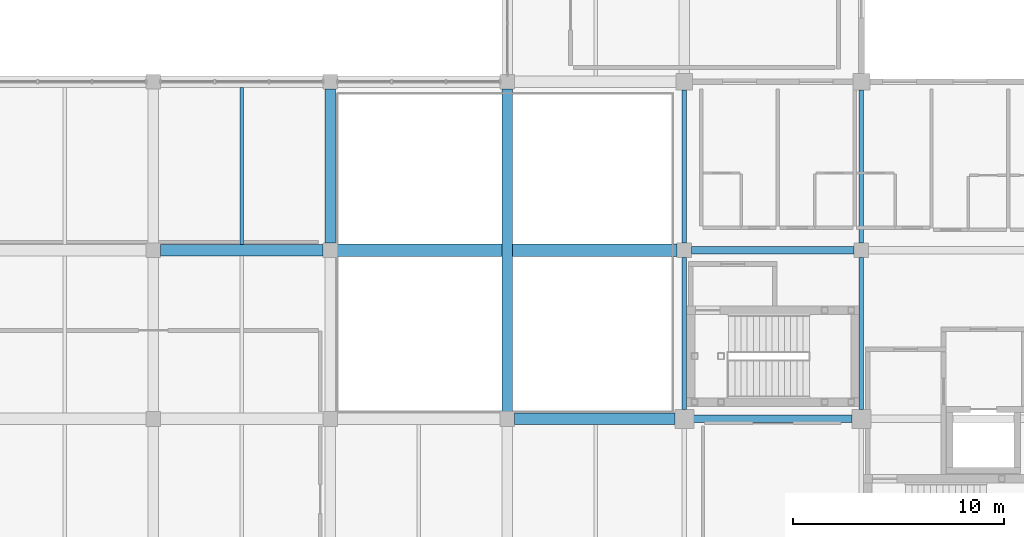
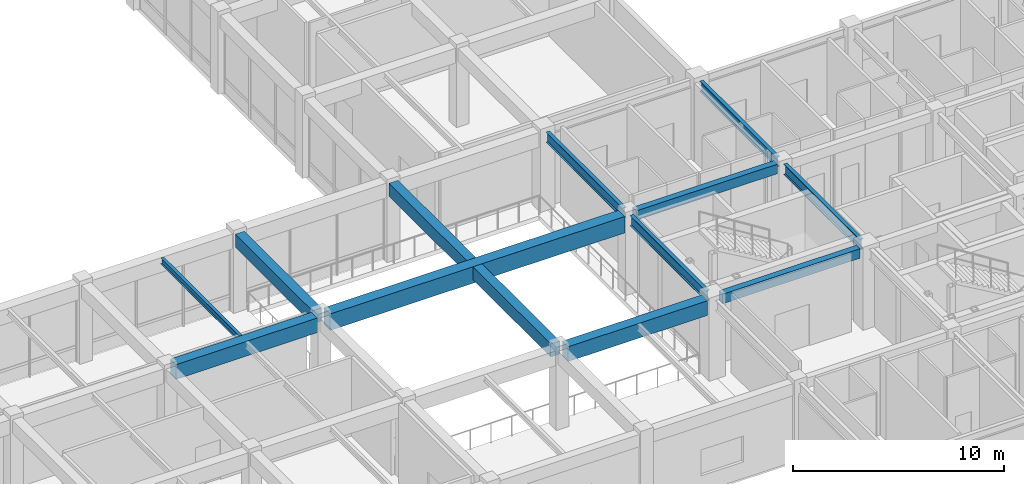
# One storey, part 19 of 76: 12 beams.
"""IFC4 building model written with IfcOpenShell, lengths in metres."""

from ifc_helpers import new_model, si_unit, direction, frame, origin, origin_2d, place, context, subcontext, project, spatial, rectangle, i_section, extrude, material, material_profile, profile_set, type_object, element, save


model = new_model("IFC4")

# Units and contexts
model_context = context("Model", 3, precision=1e-05, world=origin(), true_north=direction((0.0, 1.0)))
body_context = subcontext(model_context, "Body", "Model", "MODEL_VIEW")
ifc_project = project(units=[si_unit("LENGTHUNIT", "METRE"), si_unit("AREAUNIT", "SQUARE_METRE"), si_unit("VOLUMEUNIT", "CUBIC_METRE"), si_unit("PLANEANGLEUNIT", "RADIAN"), si_unit("MASSUNIT", "GRAM", prefix="KILO")], contexts=[model_context])

# Site, building, storey
site_placement = place(None, origin())
site = spatial("IfcSite", under=ifc_project, at=site_placement, CompositionType="ELEMENT")
building_placement = place(site_placement, origin())
building = spatial("IfcBuilding", under=site, at=building_placement, Name="Naruveol Harbour Congress Hotel", CompositionType="ELEMENT")
storey_placement = place(building_placement, frame((0.0, 0.0, 11.39990234375)))
storey = spatial("IfcBuildingStorey", under=building, at=storey_placement, Name="L02", CompositionType="ELEMENT", Elevation=11.39990234375)

# Beams
ifc_material_1 = material(Name="Concrete C40/50", Category="concrete")
ifc_material_profile_1 = material_profile(ifc_material_1, rectangle(XDim=0.5, YDim=0.75, at=origin_2d()), Name="RCB-500x750")
ifc_profile_set_1 = profile_set([ifc_material_profile_1], Name="Concrete C40/50")
beam_type_1 = type_object("IfcBeamType", Name="RC FLOOR GIRDER 500X750", PredefinedType="BEAM", material=ifc_profile_set_1)
beam_1_placement = place(storey_placement, frame((100.800048828125, 24.345947265625, 4.175048828125), z_axis=(0.0, 1.0, 0.0), x_axis=(-1.0, 0.0, 0.0)))
element("IfcBeam", 1, at=beam_1_placement, inside=storey, type_object=beam_type_1, Name="Transverse girder L03 CB3", PredefinedType="BEAM", context=body_context, shape_type="SweptSolid", body=[
    extrude(rectangle(XDim=0.5, YDim=0.75, at=origin_2d()), origin(), (0.0, 0.0, 1.0), 7.30810546875),
])
beam_2_placement = place(storey_placement, frame((109.199951171875, 16.345947265625, 4.175048828125), z_axis=(0.0, 1.0, 0.0), x_axis=(-1.0, 0.0, 0.0)))
element("IfcBeam", 2, at=beam_2_placement, inside=storey, type_object=beam_type_1, Name="Transverse girder L03 CB3", PredefinedType="BEAM", context=body_context, shape_type="SweptSolid", body=[
    extrude(rectangle(XDim=0.5, YDim=0.75, at=origin_2d()), origin(), (0.0, 0.0, 1.0), 15.30810546875),
])
ifc_material_2 = material(Name="Concrete C40/50", Category="concrete")
ifc_material_profile_2 = material_profile(ifc_material_2, rectangle(XDim=0.60009765625, YDim=0.949951171875, at=origin_2d()), Name="RCB-600x950")
ifc_profile_set_2 = profile_set([ifc_material_profile_2], Name="Concrete C40/50")
beam_type_2 = type_object("IfcBeamType", Name="RC LONG SPAN GIRDER 600X950", PredefinedType="BEAM", material=ifc_profile_set_2)
beam_3_placement = place(storey_placement, frame((101.14599609375, 24.0, 4.0751953125), z_axis=(1.0, 0.0, 0.0), x_axis=(0.0, 1.0, 0.0)))
element("IfcBeam", 3, at=beam_3_placement, inside=storey, type_object=beam_type_2, Name="Floor girder L03 CB1", PredefinedType="BEAM", context=body_context, shape_type="SweptSolid", body=[
    extrude(rectangle(XDim=0.60009765625, YDim=0.949951171875, at=origin_2d()), origin(), (0.0, 0.0, 1.0), 16.10791015625),
])
ifc_material_3 = material(Name="Concrete C40/50", Category="concrete")
ifc_material_profile_3 = material_profile(ifc_material_3, rectangle(XDim=0.550048828125, YDim=0.85009765625, at=origin_2d()), Name="RCB-550x850")
ifc_profile_set_3 = profile_set([ifc_material_profile_3], Name="Concrete C40/50")
beam_type_3 = type_object("IfcBeamType", Name="RC PRIMARY GIRDER 550X850", PredefinedType="BEAM", material=ifc_profile_set_3)
beam_4_placement = place(storey_placement, frame((109.5458984375, 16.0, 4.125), z_axis=(1.0, 0.0, 0.0), x_axis=(0.0, 1.0, 0.0)))
element("IfcBeam", 4, at=beam_4_placement, inside=storey, type_object=beam_type_3, Name="Floor girder L03 CB2", PredefinedType="BEAM", context=body_context, shape_type="SweptSolid", body=[
    extrude(rectangle(XDim=0.550048828125, YDim=0.85009765625, at=origin_2d()), origin(), (0.0, 0.0, 1.0), 7.608154296875),
])
beam_5_placement = place(storey_placement, frame((92.74609375, 24.0, 4.125), z_axis=(1.0, 0.0, 0.0), x_axis=(0.0, 1.0, 0.0)))
element("IfcBeam", 5, at=beam_5_placement, inside=storey, type_object=beam_type_3, Name="Floor girder L03 CB2", PredefinedType="BEAM", context=body_context, shape_type="SweptSolid", body=[
    extrude(rectangle(XDim=0.550048828125, YDim=0.85009765625, at=origin_2d()), origin(), (0.0, 0.0, 1.0), 7.7080078125),
])
ifc_material_4 = material(Name="Concrete C40/50", Category="concrete")
ifc_material_profile_4 = material_profile(ifc_material_4, rectangle(XDim=0.35009765625, YDim=0.550048828125, at=origin_2d()), Name="RCB-350x550")
ifc_profile_set_4 = profile_set([ifc_material_profile_4], Name="Concrete C40/50")
beam_type_4 = type_object("IfcBeamType", Name="RC SECONDARY BEAM 350X550", PredefinedType="JOIST", material=ifc_profile_set_4)
beam_6_placement = place(storey_placement, frame((118.0458984375, 16.0, 4.275146484375), z_axis=(1.0, 0.0, 0.0), x_axis=(0.0, 1.0, 0.0)))
element("IfcBeam", 6, at=beam_6_placement, inside=storey, type_object=beam_type_4, Name="Hotel chord beam L03 CJ1", PredefinedType="JOIST", context=body_context, shape_type="SweptSolid", body=[
    extrude(rectangle(XDim=0.35009765625, YDim=0.550048828125, at=origin_2d()), origin(), (0.0, 0.0, 1.0), 7.508056640625),
])
beam_7_placement = place(storey_placement, frame((117.946044921875, 24.0, 4.275146484375), z_axis=(1.0, 0.0, 0.0), x_axis=(0.0, 1.0, 0.0)))
element("IfcBeam", 7, at=beam_7_placement, inside=storey, type_object=beam_type_4, Name="Hotel chord beam L03 CJ1", PredefinedType="JOIST", context=body_context, shape_type="SweptSolid", body=[
    extrude(rectangle(XDim=0.35009765625, YDim=0.550048828125, at=origin_2d()), origin(), (0.0, 0.0, 1.0), 7.7080078125),
])
ifc_material_5 = material(Name="Steel SN490", Category="steel")
ifc_material_profile_5 = material_profile(ifc_material_5, i_section(OverallWidth=0.199951171875, OverallDepth=0.60009765625, WebThickness=0.010986328125, FlangeThickness=0.01708984375, at=origin_2d()), Name="H-600x200x11x17")
ifc_profile_set_5 = profile_set([ifc_material_profile_5], Name="Steel SN490")
beam_type_5 = type_object("IfcBeamType", Name="STEEL PRIMARY FLOOR BEAM H600", PredefinedType="BEAM", material=ifc_profile_set_5)
beam_8_placement = place(storey_placement, frame((117.60009765625, 16.446044921875, 4.25), z_axis=(0.0, 1.0, 0.0), x_axis=(-1.0, 0.0, 0.0)))
element("IfcBeam", 8, at=beam_8_placement, inside=storey, type_object=beam_type_5, Name="Hotel transverse beam L03 SB1", PredefinedType="BEAM", context=body_context, shape_type="SweptSolid", body=[
    extrude(i_section(OverallWidth=0.199951171875, OverallDepth=0.60009765625, WebThickness=0.010986328125, FlangeThickness=0.01708984375, at=origin_2d()), origin(), (0.0, 0.0, 1.0), 7.2080078125),
])
beam_9_placement = place(storey_placement, frame((117.60009765625, 24.345947265625, 4.25), z_axis=(0.0, 1.0, 0.0), x_axis=(-1.0, 0.0, 0.0)))
element("IfcBeam", 9, at=beam_9_placement, inside=storey, type_object=beam_type_5, Name="Hotel transverse beam L03 SB1", PredefinedType="BEAM", context=body_context, shape_type="SweptSolid", body=[
    extrude(i_section(OverallWidth=0.199951171875, OverallDepth=0.60009765625, WebThickness=0.010986328125, FlangeThickness=0.01708984375, at=origin_2d()), origin(), (0.0, 0.0, 1.0), 7.258056640625),
])
beam_10_placement = place(storey_placement, frame((126.0, 16.446044921875, 4.280029296875), z_axis=(0.0, 1.0, 0.0), x_axis=(-1.0, 0.0, 0.0)))
element("IfcBeam", 10, at=beam_10_placement, inside=storey, type_object=beam_type_5, Name="Hotel transverse beam L03 SB1", PredefinedType="BEAM", context=body_context, shape_type="SweptSolid", body=[
    extrude(i_section(OverallWidth=0.199951171875, OverallDepth=0.60009765625, WebThickness=0.010986328125, FlangeThickness=0.01708984375, at=origin_2d()), origin(), (0.0, 0.0, 1.0), 7.2080078125),
])
beam_11_placement = place(storey_placement, frame((126.0, 24.345947265625, 4.25), z_axis=(0.0, 1.0, 0.0), x_axis=(-1.0, 0.0, 0.0)))
element("IfcBeam", 11, at=beam_11_placement, inside=storey, type_object=beam_type_5, Name="Hotel transverse beam L03 SB1", PredefinedType="BEAM", context=body_context, shape_type="SweptSolid", body=[
    extrude(i_section(OverallWidth=0.199951171875, OverallDepth=0.60009765625, WebThickness=0.010986328125, FlangeThickness=0.01708984375, at=origin_2d()), origin(), (0.0, 0.0, 1.0), 7.258056640625),
])
ifc_material_6 = material(Name="Steel SN490", Category="steel")
ifc_material_profile_6 = material_profile(ifc_material_6, i_section(OverallWidth=0.175048828125, OverallDepth=0.35009765625, WebThickness=0.007080078125, FlangeThickness=0.010986328125, at=origin_2d()), Name="H-350x175x7x11")
ifc_profile_set_6 = profile_set([ifc_material_profile_6], Name="Steel SN490")
beam_type_6 = type_object("IfcBeamType", Name="STEEL SECONDARY JOIST H350", PredefinedType="JOIST", material=ifc_profile_set_6)
beam_12_placement = place(storey_placement, frame((96.60009765625, 24.27099609375, 4.375), z_axis=(0.0, 1.0, 0.0), x_axis=(-1.0, 0.0, 0.0)))
element("IfcBeam", 12, at=beam_12_placement, inside=storey, type_object=beam_type_6, Name="Secondary floor joist L03 SJ2", PredefinedType="JOIST", context=body_context, shape_type="SweptSolid", body=[
    extrude(i_section(OverallWidth=0.175048828125, OverallDepth=0.35009765625, WebThickness=0.007080078125, FlangeThickness=0.010986328125, at=origin_2d()), origin(), (0.0, 0.0, 1.0), 7.4580078125),
])

save(model, "model.ifc")
